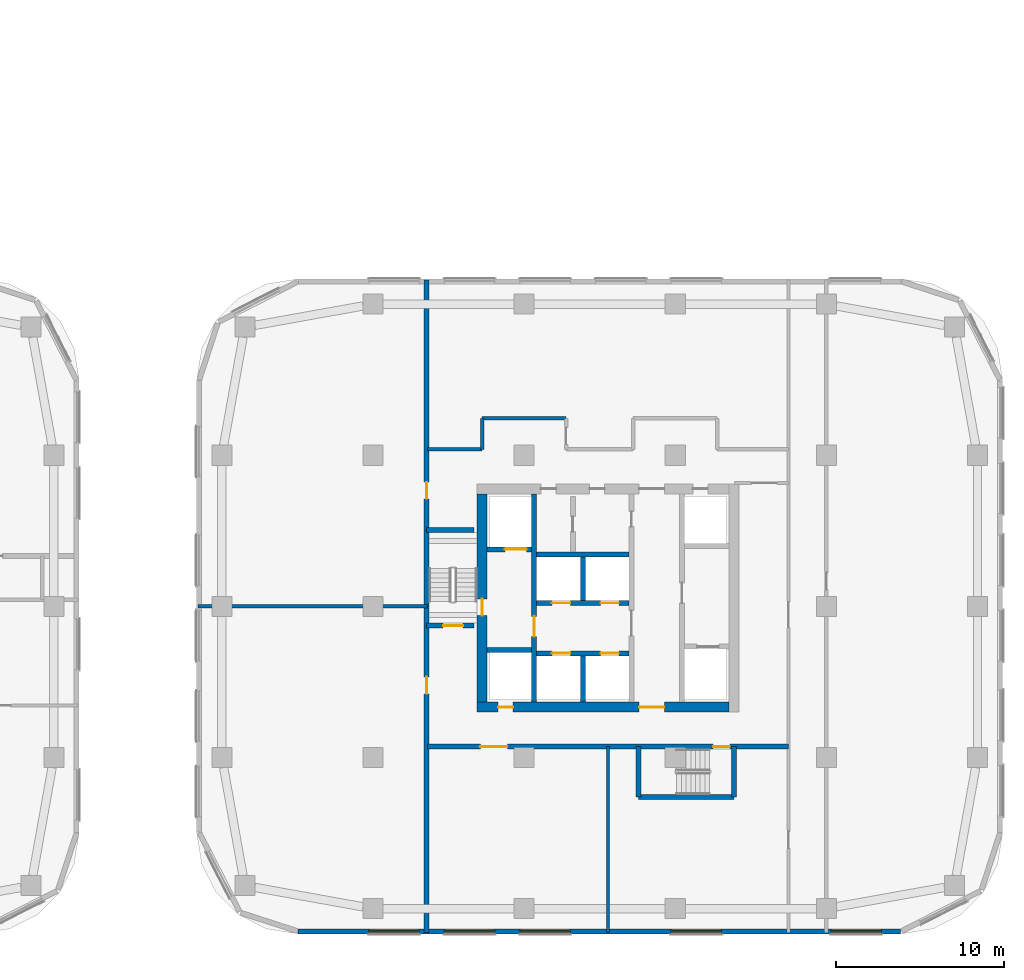
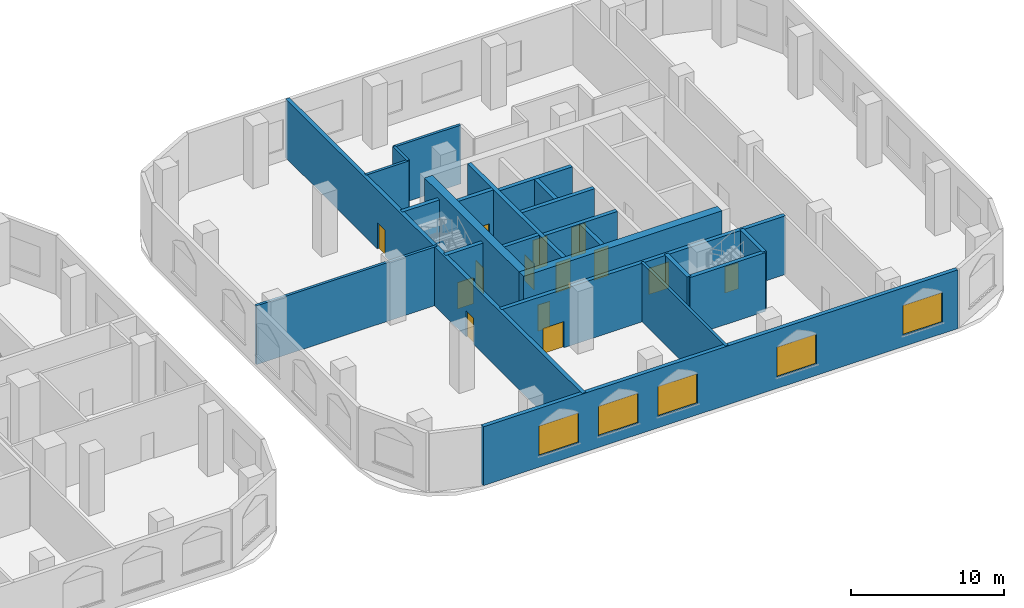
# One storey, part 9 of 31: 23 walls, 14 doors, 5 windows, 19 openings.
"""IFC4 building model written with IfcOpenShell, lengths in metres."""

from ifc_helpers import new_model, si_unit, direction, frame, frame_2d, origin, place, context, subcontext, project, spatial, rectangle, extrude, material, layer, layer_set, type_object, element, fill, save


model = new_model("IFC4")

# Units and contexts
model_context = context("Model", 3, precision=1e-05, world=origin(), true_north=direction((0.0, 1.0)))
body_context = subcontext(model_context, "Body", "Model", "MODEL_VIEW")
ifc_project = project(units=[si_unit("LENGTHUNIT", "METRE"), si_unit("AREAUNIT", "SQUARE_METRE"), si_unit("VOLUMEUNIT", "CUBIC_METRE"), si_unit("PLANEANGLEUNIT", "RADIAN"), si_unit("MASSUNIT", "GRAM", prefix="KILO")], contexts=[model_context])

# Site, building, storey
site_placement = place(None, origin())
site = spatial("IfcSite", under=ifc_project, at=site_placement, CompositionType="ELEMENT")
building_placement = place(site_placement, origin())
building = spatial("IfcBuilding", under=site, at=building_placement, Name="Ogive Portal Towers", CompositionType="ELEMENT")
storey_placement = place(building_placement, frame((0.0, 0.0, 13.5)))
storey = spatial("IfcBuildingStorey", under=building, at=storey_placement, Name="L02", CompositionType="ELEMENT", Elevation=13.5)

# Wall, opening, door
ifc_material_1 = material(Name="Concrete C60/75", Category="concrete")
ifc_layer_1 = layer(ifc_material_1, 0.300048828125)
ifc_layer_set_1 = layer_set([ifc_layer_1], Name="CORE WALL 300 C60")
wall_type_1 = type_object("IfcWallType", Name="CORE WALL 300 C60", PredefinedType="SHEAR", material=ifc_layer_set_1)
wall_1_placement = place(storey_placement, frame((132.10009765625, 24.800048828125, 0.0), z_axis=(0.0, 0.0, 1.0), x_axis=(0.0, 1.0, 0.0)))
wall_1 = element("IfcWall", 1, at=wall_1_placement, inside=storey, type_object=wall_type_1, Name="Tower B core wall BX1 L02", PredefinedType="SHEAR", context=body_context, shape_type="SweptSolid", body=[
    extrude(rectangle(XDim=12.39990234375, YDim=0.300048828125, at=frame_2d((6.199951171875, 0.0))), origin(), (0.0, 0.0, 1.0), 5.0),
])
opening_1_placement = place(wall_1_placement, frame((3.89990234375, 0.0, 0.0)))
opening_1 = element("IfcOpeningElement", 2, at=opening_1_placement, cuts=wall_1, Name="Opening P02-041", PredefinedType="OPENING", context=body_context, shape_type="SweptSolid", body=[
    extrude(rectangle(XDim=1.199951171875, YDim=2.10009765625, at=frame_2d((0.60009765625, 1.050048828125))), frame((0.0, 0.16015625, 0.0), z_axis=(0.0, -1.0, 0.0), x_axis=(1.0, 0.0, 0.0)), (0.0, 0.0, 1.0), 0.320068359375),
])
ifc_material_2 = material(Name="Steel fire door", Category="steel")
door_type_1 = type_object("IfcDoorType", Name="DT-SWING-1200x2100-FD90S", OperationType="SINGLE_SWING_LEFT", PredefinedType="DOOR", material=ifc_material_2)
door_1_placement = place(opening_1_placement, origin())
door_1 = element("IfcDoor", 3, at=door_1_placement, inside=storey, type_object=door_type_1, Name="Door P02-041", OperationType="SINGLE_SWING_LEFT", OverallHeight=2.10009765625, OverallWidth=1.199951171875, PredefinedType="DOOR", context=body_context, shape_type="SweptSolid", body=[
    extrude(rectangle(XDim=1.199951171875, YDim=2.10009765625, at=frame_2d((0.60009765625, 1.050048828125))), frame((0.0, 0.02490234375, 0.0), z_axis=(0.0, -1.0, 0.0), x_axis=(1.0, 0.0, 0.0)), (0.0, 0.0, 1.0), 0.050048828125),
])
fill(opening_1, door_1)

# Walls
wall_2_placement = place(storey_placement, frame((135.0, 24.800048828125, 0.0), z_axis=(0.0, 0.0, 1.0), x_axis=(0.0, 1.0, 0.0)))
element("IfcWall", 4, at=wall_2_placement, inside=storey, type_object=wall_type_1, Name="Tower B core wall BX4 L02", PredefinedType="SHEAR", context=body_context, shape_type="SweptSolid", body=[
    extrude(rectangle(XDim=2.75, YDim=0.300048828125, at=frame_2d((1.375, 0.0))), origin(), (0.0, 0.0, 1.0), 5.0),
])
wall_3_placement = place(storey_placement, frame((135.0, 30.85009765625, 0.0), z_axis=(0.0, 0.0, 1.0), x_axis=(0.0, 1.0, 0.0)))
element("IfcWall", 5, at=wall_3_placement, inside=storey, type_object=wall_type_1, Name="Tower B core wall BX5 L02", PredefinedType="SHEAR", context=body_context, shape_type="SweptSolid", body=[
    extrude(rectangle(XDim=2.599853515625, YDim=0.300048828125, at=frame_2d((1.2998046875, 0.0))), origin(), (0.0, 0.0, 1.0), 5.0),
])

# Wall, openings, doors
wall_4_placement = place(storey_placement, frame((132.25, 27.699951171875, 0.0), z_axis=(0.0, 0.0, 1.0), x_axis=(1.0, 0.0, 0.0)))
wall_4 = element("IfcWall", 6, at=wall_4_placement, inside=storey, type_object=wall_type_1, Name="Tower B core wall BY1 L02", PredefinedType="SHEAR", context=body_context, shape_type="SweptSolid", body=[
    extrude(rectangle(XDim=5.5, YDim=0.300048828125, at=frame_2d((2.75, 0.0))), origin(), (0.0, 0.0, 1.0), 5.0),
])
opening_2_placement = place(wall_4_placement, frame((0.89990234375, 0.0, 0.0)))
opening_2 = element("IfcOpeningElement", 7, at=opening_2_placement, cuts=wall_4, Name="Opening P02-048", PredefinedType="OPENING", context=body_context, shape_type="SweptSolid", body=[
    extrude(rectangle(XDim=1.10009765625, YDim=2.39990234375, at=frame_2d((0.550048828125, 1.199951171875))), frame((0.0, 0.16015625, 0.0), z_axis=(0.0, -1.0, 0.0), x_axis=(1.0, 0.0, 0.0)), (0.0, 0.0, 1.0), 0.320068359375),
])
opening_3_placement = place(wall_4_placement, frame((3.800048828125, 0.0, 0.0)))
opening_3 = element("IfcOpeningElement", 8, at=opening_3_placement, cuts=wall_4, Name="Opening P02-049", PredefinedType="OPENING", context=body_context, shape_type="SweptSolid", body=[
    extrude(rectangle(XDim=1.10009765625, YDim=2.39990234375, at=frame_2d((0.550048828125, 1.199951171875))), frame((0.0, 0.16015625, 0.0), z_axis=(0.0, -1.0, 0.0), x_axis=(1.0, 0.0, 0.0)), (0.0, 0.0, 1.0), 0.320068359375),
])
ifc_material_3 = material(Name="Stainless steel", Category="steel")
door_type_2 = type_object("IfcDoorType", Name="DT-LD-1100x2400", OperationType="SLIDING_TO_LEFT", PredefinedType="DOOR", material=ifc_material_3)
door_2_placement = place(opening_2_placement, origin())
door_2 = element("IfcDoor", 9, at=door_2_placement, inside=storey, type_object=door_type_2, Name="Door P02-048", OperationType="SLIDING_TO_LEFT", OverallHeight=2.39990234375, OverallWidth=1.10009765625, PredefinedType="DOOR", context=body_context, shape_type="SweptSolid", body=[
    extrude(rectangle(XDim=1.10009765625, YDim=2.39990234375, at=frame_2d((0.550048828125, 1.199951171875))), frame((0.0, 0.02490234375, 0.0), z_axis=(0.0, -1.0, 0.0), x_axis=(1.0, 0.0, 0.0)), (0.0, 0.0, 1.0), 0.050048828125),
])
fill(opening_2, door_2)
door_3_placement = place(opening_3_placement, origin())
door_3 = element("IfcDoor", 10, at=door_3_placement, inside=storey, type_object=door_type_2, Name="Door P02-049", OperationType="SLIDING_TO_LEFT", OverallHeight=2.39990234375, OverallWidth=1.10009765625, PredefinedType="DOOR", context=body_context, shape_type="SweptSolid", body=[
    extrude(rectangle(XDim=1.10009765625, YDim=2.39990234375, at=frame_2d((0.550048828125, 1.199951171875))), frame((0.0, 0.02490234375, 0.0), z_axis=(0.0, -1.0, 0.0), x_axis=(1.0, 0.0, 0.0)), (0.0, 0.0, 1.0), 0.050048828125),
])
fill(opening_3, door_3)

wall_5_placement = place(storey_placement, frame((132.25, 30.699951171875, 0.0), z_axis=(0.0, 0.0, 1.0), x_axis=(1.0, 0.0, 0.0)))
wall_5 = element("IfcWall", 11, at=wall_5_placement, inside=storey, type_object=wall_type_1, Name="Tower B core wall BY2 L02", PredefinedType="SHEAR", context=body_context, shape_type="SweptSolid", body=[
    extrude(rectangle(XDim=5.5, YDim=0.300048828125, at=frame_2d((2.75, 0.0))), origin(), (0.0, 0.0, 1.0), 5.0),
])
opening_4_placement = place(wall_5_placement, frame((0.89990234375, 0.0, 0.0)))
opening_4 = element("IfcOpeningElement", 12, at=opening_4_placement, cuts=wall_5, Name="Opening P02-050", PredefinedType="OPENING", context=body_context, shape_type="SweptSolid", body=[
    extrude(rectangle(XDim=1.10009765625, YDim=2.39990234375, at=frame_2d((0.550048828125, 1.199951171875))), frame((0.0, 0.16015625, 0.0), z_axis=(0.0, -1.0, 0.0), x_axis=(1.0, 0.0, 0.0)), (0.0, 0.0, 1.0), 0.320068359375),
])
opening_5_placement = place(wall_5_placement, frame((3.800048828125, 0.0, 0.0)))
opening_5 = element("IfcOpeningElement", 13, at=opening_5_placement, cuts=wall_5, Name="Opening P02-051", PredefinedType="OPENING", context=body_context, shape_type="SweptSolid", body=[
    extrude(rectangle(XDim=1.10009765625, YDim=2.39990234375, at=frame_2d((0.550048828125, 1.199951171875))), frame((0.0, 0.16015625, 0.0), z_axis=(0.0, -1.0, 0.0), x_axis=(1.0, 0.0, 0.0)), (0.0, 0.0, 1.0), 0.320068359375),
])
door_4_placement = place(opening_4_placement, origin())
door_4 = element("IfcDoor", 14, at=door_4_placement, inside=storey, type_object=door_type_2, Name="Door P02-050", OperationType="SLIDING_TO_LEFT", OverallHeight=2.39990234375, OverallWidth=1.10009765625, PredefinedType="DOOR", context=body_context, shape_type="SweptSolid", body=[
    extrude(rectangle(XDim=1.10009765625, YDim=2.39990234375, at=frame_2d((0.550048828125, 1.199951171875))), frame((0.0, 0.02490234375, 0.0), z_axis=(0.0, -1.0, 0.0), x_axis=(1.0, 0.0, 0.0)), (0.0, 0.0, 1.0), 0.050048828125),
])
fill(opening_4, door_4)
door_5_placement = place(opening_5_placement, origin())
door_5 = element("IfcDoor", 15, at=door_5_placement, inside=storey, type_object=door_type_2, Name="Door P02-051", OperationType="SLIDING_TO_LEFT", OverallHeight=2.39990234375, OverallWidth=1.10009765625, PredefinedType="DOOR", context=body_context, shape_type="SweptSolid", body=[
    extrude(rectangle(XDim=1.10009765625, YDim=2.39990234375, at=frame_2d((0.550048828125, 1.199951171875))), frame((0.0, 0.02490234375, 0.0), z_axis=(0.0, -1.0, 0.0), x_axis=(1.0, 0.0, 0.0)), (0.0, 0.0, 1.0), 0.050048828125),
])
fill(opening_5, door_5)

# Walls
wall_6_placement = place(storey_placement, frame((132.25, 33.60009765625, 0.0), z_axis=(0.0, 0.0, 1.0), x_axis=(1.0, 0.0, 0.0)))
element("IfcWall", 16, at=wall_6_placement, inside=storey, type_object=wall_type_1, Name="Tower B core wall BY3 L02", PredefinedType="SHEAR", context=body_context, shape_type="SweptSolid", body=[
    extrude(rectangle(XDim=5.5, YDim=0.300048828125, at=frame_2d((2.75, 0.0))), origin(), (0.0, 0.0, 1.0), 5.0),
])
wall_7_placement = place(storey_placement, frame((129.300048828125, 27.89990234375, 0.0), z_axis=(0.0, 0.0, 1.0), x_axis=(1.0, 0.0, 0.0)))
element("IfcWall", 17, at=wall_7_placement, inside=storey, type_object=wall_type_1, Name="Tower B core wall BY4 L02", PredefinedType="SHEAR", context=body_context, shape_type="SweptSolid", body=[
    extrude(rectangle(XDim=2.64990234375, YDim=0.300048828125, at=frame_2d((1.324951171875, 0.0))), origin(), (0.0, 0.0, 1.0), 5.0),
])

# Wall, opening, door
wall_8_placement = place(storey_placement, frame((129.300048828125, 33.89990234375, 0.0), z_axis=(0.0, 0.0, 1.0), x_axis=(1.0, 0.0, 0.0)))
wall_8 = element("IfcWall", 18, at=wall_8_placement, inside=storey, type_object=wall_type_1, Name="Tower B core wall BY5 L02", PredefinedType="SHEAR", context=body_context, shape_type="SweptSolid", body=[
    extrude(rectangle(XDim=2.64990234375, YDim=0.300048828125, at=frame_2d((1.324951171875, 0.0))), origin(), (0.0, 0.0, 1.0), 5.0),
])
opening_6_placement = place(wall_8_placement, frame((1.050048828125, 0.0, 0.0)))
opening_6 = element("IfcOpeningElement", 19, at=opening_6_placement, cuts=wall_8, Name="Opening P02-052", PredefinedType="OPENING", context=body_context, shape_type="SweptSolid", body=[
    extrude(rectangle(XDim=1.300048828125, YDim=2.39990234375, at=frame_2d((0.64990234375, 1.199951171875))), frame((0.0, 0.16015625, 0.0), z_axis=(0.0, -1.0, 0.0), x_axis=(1.0, 0.0, 0.0)), (0.0, 0.0, 1.0), 0.320068359375),
])
door_type_3 = type_object("IfcDoorType", Name="DT-LD-1300x2400", OperationType="SLIDING_TO_LEFT", PredefinedType="DOOR", material=ifc_material_3)
door_6_placement = place(opening_6_placement, origin())
door_6 = element("IfcDoor", 20, at=door_6_placement, inside=storey, type_object=door_type_3, Name="Door P02-052", OperationType="SLIDING_TO_LEFT", OverallHeight=2.39990234375, OverallWidth=1.300048828125, PredefinedType="DOOR", context=body_context, shape_type="SweptSolid", body=[
    extrude(rectangle(XDim=1.300048828125, YDim=2.39990234375, at=frame_2d((0.64990234375, 1.199951171875))), frame((0.0, 0.02490234375, 0.0), z_axis=(0.0, -1.0, 0.0), x_axis=(1.0, 0.0, 0.0)), (0.0, 0.0, 1.0), 0.050048828125),
])
fill(opening_6, door_6)

ifc_layer_2 = layer(ifc_material_1, 0.60009765625)
ifc_layer_set_2 = layer_set([ifc_layer_2], Name="CORE WALL 600 C60")
wall_type_2 = type_object("IfcWallType", Name="CORE WALL 600 C60", PredefinedType="SHEAR", material=ifc_layer_set_2)
wall_9_placement = place(storey_placement, frame((129.0, 24.800048828125, 0.0), z_axis=(0.0, 0.0, 1.0), x_axis=(0.0, 1.0, 0.0)))
wall_9 = element("IfcWall", 21, at=wall_9_placement, inside=storey, type_object=wall_type_2, Name="Tower B core wall BW L02", PredefinedType="SHEAR", context=body_context, shape_type="SweptSolid", body=[
    extrude(rectangle(XDim=12.39990234375, YDim=0.60009765625, at=frame_2d((6.199951171875, 0.0))), origin(), (0.0, 0.0, 1.0), 5.0),
])
opening_7_placement = place(wall_9_placement, frame((5.14990234375, 0.0, 0.0)))
opening_7 = element("IfcOpeningElement", 22, at=opening_7_placement, cuts=wall_9, Name="Opening P02-043", PredefinedType="OPENING", context=body_context, shape_type="SweptSolid", body=[
    extrude(rectangle(XDim=1.0, YDim=2.10009765625, at=frame_2d((0.5, 1.050048828125))), frame((0.0, 0.31005859375, 0.0), z_axis=(0.0, -1.0, 0.0), x_axis=(1.0, 0.0, 0.0)), (0.0, 0.0, 1.0), 0.6201171875),
])
door_type_4 = type_object("IfcDoorType", Name="DT-SWING-1000x2100-FD90S", OperationType="SINGLE_SWING_LEFT", PredefinedType="DOOR", material=ifc_material_2)
door_7_placement = place(opening_7_placement, origin())
door_7 = element("IfcDoor", 23, at=door_7_placement, inside=storey, type_object=door_type_4, Name="Door P02-043", OperationType="SINGLE_SWING_RIGHT", OverallHeight=2.10009765625, OverallWidth=1.0, PredefinedType="DOOR", context=body_context, shape_type="SweptSolid", body=[
    extrude(rectangle(XDim=1.0, YDim=2.10009765625, at=frame_2d((0.5, 1.050048828125))), frame((0.0, 0.02490234375, 0.0), z_axis=(0.0, -1.0, 0.0), x_axis=(1.0, 0.0, 0.0)), (0.0, 0.0, 1.0), 0.050048828125),
])
fill(opening_7, door_7)

# Wall, openings, doors
wall_10_placement = place(storey_placement, frame((128.699951171875, 24.5, 0.0), z_axis=(0.0, 0.0, 1.0), x_axis=(1.0, 0.0, 0.0)))
wall_10 = element("IfcWall", 24, at=wall_10_placement, inside=storey, type_object=wall_type_2, Name="Tower B core wall BS L02", PredefinedType="SHEAR", context=body_context, shape_type="SweptSolid", body=[
    extrude(rectangle(XDim=15.0, YDim=0.60009765625, at=frame_2d((7.5, 0.0))), origin(), (0.0, 0.0, 1.0), 5.0),
])
opening_8_placement = place(wall_10_placement, frame((9.64990234375, 0.0, 0.0)))
opening_8 = element("IfcOpeningElement", 25, at=opening_8_placement, cuts=wall_10, Name="Opening P02-044", PredefinedType="OPENING", context=body_context, shape_type="SweptSolid", body=[
    extrude(rectangle(XDim=1.5, YDim=2.10009765625, at=frame_2d((0.75, 1.050048828125))), frame((0.0, 0.31005859375, 0.0), z_axis=(0.0, -1.0, 0.0), x_axis=(1.0, 0.0, 0.0)), (0.0, 0.0, 1.0), 0.6201171875),
])
opening_9_placement = place(wall_10_placement, frame((1.25, 0.0, 0.0)))
opening_9 = element("IfcOpeningElement", 26, at=opening_9_placement, cuts=wall_10, Name="Opening P02-046", PredefinedType="OPENING", context=body_context, shape_type="SweptSolid", body=[
    extrude(rectangle(XDim=0.89990234375, YDim=2.10009765625, at=frame_2d((0.449951171875, 1.050048828125))), frame((0.0, 0.31005859375, 0.0), z_axis=(0.0, -1.0, 0.0), x_axis=(1.0, 0.0, 0.0)), (0.0, 0.0, 1.0), 0.6201171875),
])
door_type_5 = type_object("IfcDoorType", Name="DT-SWING-1500x2100-FD90S", OperationType="SINGLE_SWING_LEFT", PredefinedType="DOOR", material=ifc_material_2)
door_8_placement = place(opening_8_placement, origin())
door_8 = element("IfcDoor", 27, at=door_8_placement, inside=storey, type_object=door_type_5, Name="Door P02-044", OperationType="SINGLE_SWING_LEFT", OverallHeight=2.10009765625, OverallWidth=1.5, PredefinedType="DOOR", context=body_context, shape_type="SweptSolid", body=[
    extrude(rectangle(XDim=1.5, YDim=2.10009765625, at=frame_2d((0.75, 1.050048828125))), frame((0.0, 0.02490234375, 0.0), z_axis=(0.0, -1.0, 0.0), x_axis=(1.0, 0.0, 0.0)), (0.0, 0.0, 1.0), 0.050048828125),
])
fill(opening_8, door_8)
door_type_6 = type_object("IfcDoorType", Name="DT-SWING-900x2100-FD90S", OperationType="SINGLE_SWING_LEFT", PredefinedType="DOOR", material=ifc_material_2)
door_9_placement = place(opening_9_placement, origin())
door_9 = element("IfcDoor", 28, at=door_9_placement, inside=storey, type_object=door_type_6, Name="Riser access door P02-046", OperationType="SINGLE_SWING_LEFT", OverallHeight=2.10009765625, OverallWidth=0.89990234375, PredefinedType="DOOR", context=body_context, shape_type="SweptSolid", body=[
    extrude(rectangle(XDim=0.89990234375, YDim=2.10009765625, at=frame_2d((0.449951171875, 1.050048828125))), frame((0.0, 0.02490234375, 0.0), z_axis=(0.0, -1.0, 0.0), x_axis=(1.0, 0.0, 0.0)), (0.0, 0.0, 1.0), 0.050048828125),
])
fill(opening_9, door_9)

# Wall, openings, windows
ifc_material_4 = material(Name="Limestone cladding on lightweight block wall", Category="masonry")
ifc_layer_3 = layer(ifc_material_4, 0.300048828125)
ifc_layer_set_3 = layer_set([ifc_layer_3], Name="EXTERNAL WALL 300 STONE")
wall_type_3 = type_object("IfcWallType", Name="EXTERNAL WALL 300 STONE", PredefinedType="SOLIDWALL", material=ifc_layer_set_3)
wall_11_placement = place(storey_placement, frame((118.047607421875, 11.14990234375, 0.0), z_axis=(0.0, 0.0, 1.0), x_axis=(1.0, 0.0, 0.0)))
wall_11 = element("IfcWall", 29, at=wall_11_placement, inside=storey, type_object=wall_type_3, Name="B:L02:f02:w0", PredefinedType="SOLIDWALL", context=body_context, shape_type="SweptSolid", body=[
    extrude(rectangle(XDim=35.88037109375, YDim=0.300048828125, at=frame_2d((17.940185546875, 0.0))), origin(), (0.0, 0.0, 1.0), 4.699951171875),
])
opening_10_placement = place(wall_11_placement, frame((4.202392578125, 0.0, 0.89990234375)))
opening_10 = element("IfcOpeningElement", 30, at=opening_10_placement, cuts=wall_11, Name="Opening WN3", PredefinedType="OPENING", context=body_context, shape_type="SweptSolid", body=[
    extrude(rectangle(XDim=3.0, YDim=2.39990234375, at=frame_2d((1.5, 1.199951171875))), frame((0.0, 0.16015625, 0.0), z_axis=(0.0, -1.0, 0.0), x_axis=(1.0, 0.0, 0.0)), (0.0, 0.0, 1.0), 0.320068359375),
])
opening_11_placement = place(wall_11_placement, frame((8.702392578125, 0.0, 0.89990234375)))
opening_11 = element("IfcOpeningElement", 31, at=opening_11_placement, cuts=wall_11, Name="Opening WN3", PredefinedType="OPENING", context=body_context, shape_type="SweptSolid", body=[
    extrude(rectangle(XDim=3.0, YDim=2.39990234375, at=frame_2d((1.5, 1.199951171875))), frame((0.0, 0.16015625, 0.0), z_axis=(0.0, -1.0, 0.0), x_axis=(1.0, 0.0, 0.0)), (0.0, 0.0, 1.0), 0.320068359375),
])
opening_12_placement = place(wall_11_placement, frame((13.202392578125, 0.0, 0.89990234375)))
opening_12 = element("IfcOpeningElement", 32, at=opening_12_placement, cuts=wall_11, Name="Opening WN3", PredefinedType="OPENING", context=body_context, shape_type="SweptSolid", body=[
    extrude(rectangle(XDim=3.0, YDim=2.39990234375, at=frame_2d((1.5, 1.199951171875))), frame((0.0, 0.16015625, 0.0), z_axis=(0.0, -1.0, 0.0), x_axis=(1.0, 0.0, 0.0)), (0.0, 0.0, 1.0), 0.320068359375),
])
opening_13_placement = place(wall_11_placement, frame((22.202392578125, 0.0, 0.89990234375)))
opening_13 = element("IfcOpeningElement", 33, at=opening_13_placement, cuts=wall_11, Name="Opening WN3", PredefinedType="OPENING", context=body_context, shape_type="SweptSolid", body=[
    extrude(rectangle(XDim=3.0, YDim=2.39990234375, at=frame_2d((1.5, 1.199951171875))), frame((0.0, 0.16015625, 0.0), z_axis=(0.0, -1.0, 0.0), x_axis=(1.0, 0.0, 0.0)), (0.0, 0.0, 1.0), 0.320068359375),
])
opening_14_placement = place(wall_11_placement, frame((31.726318359375, 0.0, 0.89990234375)))
opening_14 = element("IfcOpeningElement", 34, at=opening_14_placement, cuts=wall_11, Name="Opening WN3", PredefinedType="OPENING", context=body_context, shape_type="SweptSolid", body=[
    extrude(rectangle(XDim=3.0, YDim=2.39990234375, at=frame_2d((1.5, 1.199951171875))), frame((0.0, 0.16015625, 0.0), z_axis=(0.0, -1.0, 0.0), x_axis=(1.0, 0.0, 0.0)), (0.0, 0.0, 1.0), 0.320068359375),
])
ifc_material_5 = material(Name="Glass, clear low-iron insulated glazing", Category="glass")
window_type = type_object("IfcWindowType", Name="WINDOW PODIUM 3000x2400", PartitioningType="SINGLE_PANEL", PredefinedType="WINDOW", material=ifc_material_5)
window_1_placement = place(opening_10_placement, origin())
window_1 = element("IfcWindow", 35, at=window_1_placement, inside=storey, type_object=window_type, Name="B:L02:f02:w0:o1a", OverallHeight=2.39990234375, OverallWidth=3.0, PartitioningType="SINGLE_PANEL", PredefinedType="WINDOW", context=body_context, shape_type="SweptSolid", body=[
    extrude(rectangle(XDim=3.0, YDim=2.39990234375, at=frame_2d((1.5, 1.199951171875))), frame((0.0, 0.030029296875, 0.0), z_axis=(0.0, -1.0, 0.0), x_axis=(1.0, 0.0, 0.0)), (0.0, 0.0, 1.0), 0.06005859375),
])
fill(opening_10, window_1)
window_2_placement = place(opening_11_placement, origin())
window_2 = element("IfcWindow", 36, at=window_2_placement, inside=storey, type_object=window_type, Name="B:L02:f02:w0:o1b", OverallHeight=2.39990234375, OverallWidth=3.0, PartitioningType="SINGLE_PANEL", PredefinedType="WINDOW", context=body_context, shape_type="SweptSolid", body=[
    extrude(rectangle(XDim=3.0, YDim=2.39990234375, at=frame_2d((1.5, 1.199951171875))), frame((0.0, 0.030029296875, 0.0), z_axis=(0.0, -1.0, 0.0), x_axis=(1.0, 0.0, 0.0)), (0.0, 0.0, 1.0), 0.06005859375),
])
fill(opening_11, window_2)
window_3_placement = place(opening_12_placement, origin())
window_3 = element("IfcWindow", 37, at=window_3_placement, inside=storey, type_object=window_type, Name="B:L02:f02:w0:o2a", OverallHeight=2.39990234375, OverallWidth=3.0, PartitioningType="SINGLE_PANEL", PredefinedType="WINDOW", context=body_context, shape_type="SweptSolid", body=[
    extrude(rectangle(XDim=3.0, YDim=2.39990234375, at=frame_2d((1.5, 1.199951171875))), frame((0.0, 0.030029296875, 0.0), z_axis=(0.0, -1.0, 0.0), x_axis=(1.0, 0.0, 0.0)), (0.0, 0.0, 1.0), 0.06005859375),
])
fill(opening_12, window_3)
window_4_placement = place(opening_13_placement, origin())
window_4 = element("IfcWindow", 38, at=window_4_placement, inside=storey, type_object=window_type, Name="B:L02:f02:w0:o3a", OverallHeight=2.39990234375, OverallWidth=3.0, PartitioningType="SINGLE_PANEL", PredefinedType="WINDOW", context=body_context, shape_type="SweptSolid", body=[
    extrude(rectangle(XDim=3.0, YDim=2.39990234375, at=frame_2d((1.5, 1.199951171875))), frame((0.0, 0.030029296875, 0.0), z_axis=(0.0, -1.0, 0.0), x_axis=(1.0, 0.0, 0.0)), (0.0, 0.0, 1.0), 0.06005859375),
])
fill(opening_13, window_4)
window_5_placement = place(opening_14_placement, origin())
window_5 = element("IfcWindow", 39, at=window_5_placement, inside=storey, type_object=window_type, Name="B:L02:f02:w0:o4", OverallHeight=2.39990234375, OverallWidth=3.0, PartitioningType="SINGLE_PANEL", PredefinedType="WINDOW", context=body_context, shape_type="SweptSolid", body=[
    extrude(rectangle(XDim=3.0, YDim=2.39990234375, at=frame_2d((1.5, 1.199951171875))), frame((0.0, 0.030029296875, 0.0), z_axis=(0.0, -1.0, 0.0), x_axis=(1.0, 0.0, 0.0)), (0.0, 0.0, 1.0), 0.06005859375),
])
fill(opening_14, window_5)

# Wall
ifc_material_6 = material(Name="Concrete C50/60", Category="concrete")
ifc_layer_4 = layer(ifc_material_6, 0.300048828125)
ifc_layer_set_4 = layer_set([ifc_layer_4], Name="STAIR WALL 300 C50")
wall_type_4 = type_object("IfcWallType", Name="STAIR WALL 300 C50", PredefinedType="SHEAR", material=ifc_layer_set_4)
wall_12_placement = place(storey_placement, frame((138.300048828125, 19.14990234375, 0.0), z_axis=(0.0, 0.0, 1.0), x_axis=(1.0, 0.0, 0.0)))
element("IfcWall", 40, at=wall_12_placement, inside=storey, type_object=wall_type_4, Name="Stair wall ST-B2 L02", PredefinedType="SHEAR", context=body_context, shape_type="SweptSolid", body=[
    extrude(rectangle(XDim=5.699951171875, YDim=0.300048828125, at=frame_2d((2.85009765625, 0.0))), origin(), (0.0, 0.0, 1.0), 4.699951171875),
])

# Wall, openings, doors
wall_13_placement = place(storey_placement, frame((125.75, 22.14990234375, 0.0), z_axis=(0.0, 0.0, 1.0), x_axis=(1.0, 0.0, 0.0)))
wall_13 = element("IfcWall", 41, at=wall_13_placement, inside=storey, type_object=wall_type_4, Name="Stair wall ST-B2 L02", PredefinedType="SHEAR", context=body_context, shape_type="SweptSolid", body=[
    extrude(rectangle(XDim=21.5, YDim=0.300048828125, at=frame_2d((10.75, 0.0))), origin(), (0.0, 0.0, 1.0), 4.699951171875),
])
opening_15_placement = place(wall_13_placement, frame((17.0, 0.0, 0.0)))
opening_15 = element("IfcOpeningElement", 42, at=opening_15_placement, cuts=wall_13, Name="Opening P02-031", PredefinedType="OPENING", context=body_context, shape_type="SweptSolid", body=[
    extrude(rectangle(XDim=1.0, YDim=2.10009765625, at=frame_2d((0.5, 1.050048828125))), frame((0.0, 0.16015625, 0.0), z_axis=(0.0, -1.0, 0.0), x_axis=(1.0, 0.0, 0.0)), (0.0, 0.0, 1.0), 0.320068359375),
])
opening_16_placement = place(wall_13_placement, frame((3.14990234375, 0.0, 0.0)))
opening_16 = element("IfcOpeningElement", 43, at=opening_16_placement, cuts=wall_13, Name="Opening P02-037", PredefinedType="OPENING", context=body_context, shape_type="SweptSolid", body=[
    extrude(rectangle(XDim=1.60009765625, YDim=2.10009765625, at=frame_2d((0.800048828125, 1.050048828125))), frame((0.0, 0.16015625, 0.0), z_axis=(0.0, -1.0, 0.0), x_axis=(1.0, 0.0, 0.0)), (0.0, 0.0, 1.0), 0.320068359375),
])
door_10_placement = place(opening_15_placement, origin())
door_10 = element("IfcDoor", 44, at=door_10_placement, inside=storey, type_object=door_type_4, Name="Door P02-031", OperationType="SINGLE_SWING_LEFT", OverallHeight=2.10009765625, OverallWidth=1.0, PredefinedType="DOOR", context=body_context, shape_type="SweptSolid", body=[
    extrude(rectangle(XDim=1.0, YDim=2.10009765625, at=frame_2d((0.5, 1.050048828125))), frame((0.0, 0.02490234375, 0.0), z_axis=(0.0, -1.0, 0.0), x_axis=(1.0, 0.0, 0.0)), (0.0, 0.0, 1.0), 0.050048828125),
])
fill(opening_15, door_10)
door_type_7 = type_object("IfcDoorType", Name="DT-SWING-1600x2100-FD90S", OperationType="SINGLE_SWING_LEFT", PredefinedType="DOOR", material=ifc_material_2)
door_11_placement = place(opening_16_placement, origin())
door_11 = element("IfcDoor", 45, at=door_11_placement, inside=storey, type_object=door_type_7, Name="Door P02-037", OperationType="SINGLE_SWING_LEFT", OverallHeight=2.10009765625, OverallWidth=1.60009765625, PredefinedType="DOOR", context=body_context, shape_type="SweptSolid", body=[
    extrude(rectangle(XDim=1.60009765625, YDim=2.10009765625, at=frame_2d((0.800048828125, 1.050048828125))), frame((0.0, 0.02490234375, 0.0), z_axis=(0.0, -1.0, 0.0), x_axis=(1.0, 0.0, 0.0)), (0.0, 0.0, 1.0), 0.050048828125),
])
fill(opening_16, door_11)

# Wall, opening, door
wall_14_placement = place(storey_placement, frame((125.699951171875, 29.35009765625, 0.0), z_axis=(0.0, 0.0, 1.0), x_axis=(1.0, 0.0, 0.0)))
wall_14 = element("IfcWall", 46, at=wall_14_placement, inside=storey, type_object=wall_type_4, Name="Stair wall ST-B1 L02", PredefinedType="SHEAR", context=body_context, shape_type="SweptSolid", body=[
    extrude(rectangle(XDim=2.830078125, YDim=0.300048828125, at=frame_2d((1.4150390625, 0.0))), origin(), (0.0, 0.0, 1.0), 4.699951171875),
])
opening_17_placement = place(wall_14_placement, frame((0.97509765625, 0.0, 0.0)))
opening_17 = element("IfcOpeningElement", 47, at=opening_17_placement, cuts=wall_14, Name="Opening P02-030", PredefinedType="OPENING", context=body_context, shape_type="SweptSolid", body=[
    extrude(rectangle(XDim=1.199951171875, YDim=2.10009765625, at=frame_2d((0.60009765625, 1.050048828125))), frame((0.0, 0.16015625, 0.0), z_axis=(0.0, -1.0, 0.0), x_axis=(1.0, 0.0, 0.0)), (0.0, 0.0, 1.0), 0.320068359375),
])
door_12_placement = place(opening_17_placement, origin())
door_12 = element("IfcDoor", 48, at=door_12_placement, inside=storey, type_object=door_type_1, Name="Door P02-030", OperationType="SINGLE_SWING_RIGHT", OverallHeight=2.10009765625, OverallWidth=1.199951171875, PredefinedType="DOOR", context=body_context, shape_type="SweptSolid", body=[
    extrude(rectangle(XDim=1.199951171875, YDim=2.10009765625, at=frame_2d((0.60009765625, 1.050048828125))), frame((0.0, 0.02490234375, 0.0), z_axis=(0.0, -1.0, 0.0), x_axis=(1.0, 0.0, 0.0)), (0.0, 0.0, 1.0), 0.050048828125),
])
fill(opening_17, door_12)

# Wall
wall_15_placement = place(storey_placement, frame((125.699951171875, 35.050048828125, 0.0), z_axis=(0.0, 0.0, 1.0), x_axis=(1.0, 0.0, 0.0)))
element("IfcWall", 49, at=wall_15_placement, inside=storey, type_object=wall_type_4, Name="Stair wall ST-B1 L02", PredefinedType="SHEAR", context=body_context, shape_type="SweptSolid", body=[
    extrude(rectangle(XDim=2.830078125, YDim=0.300048828125, at=frame_2d((1.4150390625, 0.0))), origin(), (0.0, 0.0, 1.0), 4.699951171875),
])

# Wall, openings, doors
wall_16_placement = place(storey_placement, frame((125.699951171875, 11.070068359375, 0.0), z_axis=(0.0, 0.0, 1.0), x_axis=(0.0, 1.0, 0.0)))
wall_16 = element("IfcWall", 50, at=wall_16_placement, inside=storey, type_object=wall_type_4, Name="Stair wall ST-B1 L02", PredefinedType="SHEAR", context=body_context, shape_type="SweptSolid", body=[
    extrude(rectangle(XDim=38.85986328125, YDim=0.300048828125, at=frame_2d((19.429931640625, 0.0))), origin(), (0.0, 0.0, 1.0), 4.699951171875),
])
opening_18_placement = place(wall_16_placement, frame((14.22607421875, 0.0, 0.0)))
opening_18 = element("IfcOpeningElement", 51, at=opening_18_placement, cuts=wall_16, Name="Opening P02-034", PredefinedType="OPENING", context=body_context, shape_type="SweptSolid", body=[
    extrude(rectangle(XDim=1.0, YDim=2.10009765625, at=frame_2d((0.5, 1.050048828125))), frame((0.0, 0.16015625, 0.0), z_axis=(0.0, -1.0, 0.0), x_axis=(1.0, 0.0, 0.0)), (0.0, 0.0, 1.0), 0.320068359375),
])
opening_19_placement = place(wall_16_placement, frame((25.8349609375, 0.0, 0.0)))
opening_19 = element("IfcOpeningElement", 52, at=opening_19_placement, cuts=wall_16, Name="Opening P02-035", PredefinedType="OPENING", context=body_context, shape_type="SweptSolid", body=[
    extrude(rectangle(XDim=1.0, YDim=2.10009765625, at=frame_2d((0.5, 1.050048828125))), frame((0.0, 0.16015625, 0.0), z_axis=(0.0, -1.0, 0.0), x_axis=(1.0, 0.0, 0.0)), (0.0, 0.0, 1.0), 0.320068359375),
])
door_13_placement = place(opening_18_placement, origin())
door_13 = element("IfcDoor", 53, at=door_13_placement, inside=storey, type_object=door_type_4, Name="Door P02-034", OperationType="SINGLE_SWING_RIGHT", OverallHeight=2.10009765625, OverallWidth=1.0, PredefinedType="DOOR", context=body_context, shape_type="SweptSolid", body=[
    extrude(rectangle(XDim=1.0, YDim=2.10009765625, at=frame_2d((0.5, 1.050048828125))), frame((0.0, 0.02490234375, 0.0), z_axis=(0.0, -1.0, 0.0), x_axis=(1.0, 0.0, 0.0)), (0.0, 0.0, 1.0), 0.050048828125),
])
fill(opening_18, door_13)
door_14_placement = place(opening_19_placement, origin())
door_14 = element("IfcDoor", 54, at=door_14_placement, inside=storey, type_object=door_type_4, Name="Door P02-035", OperationType="SINGLE_SWING_LEFT", OverallHeight=2.10009765625, OverallWidth=1.0, PredefinedType="DOOR", context=body_context, shape_type="SweptSolid", body=[
    extrude(rectangle(XDim=1.0, YDim=2.10009765625, at=frame_2d((0.5, 1.050048828125))), frame((0.0, 0.02490234375, 0.0), z_axis=(0.0, -1.0, 0.0), x_axis=(1.0, 0.0, 0.0)), (0.0, 0.0, 1.0), 0.050048828125),
])
fill(opening_19, door_14)

# Walls
for number, where, z_axis, x_axis, name in (
    (55, (138.300048828125, 19.14990234375, 0.0), (0.0, 0.0, 1.0), (0.0, 1.0, 0.0), "Stair wall ST-B2 L02"),
    (56, (144.0, 19.14990234375, 0.0), (0.0, 0.0, 1.0), (0.0, 1.0, 0.0), "Stair wall ST-B2 L02"),
):
    element("IfcWall", number, at=place(storey_placement, frame(where, z_axis=z_axis, x_axis=x_axis)), inside=storey, type_object=wall_type_4, Name=name, PredefinedType="SHEAR", context=body_context, shape_type="SweptSolid", body=[
        extrude(rectangle(XDim=3.0, YDim=0.300048828125, at=frame_2d((1.5, 0.0))), origin(), (0.0, 0.0, 1.0), 4.699951171875),
    ])
ifc_material_7 = material(Name="Gypsum board partition on steel studs", Category="steel")
ifc_layer_5 = layer(ifc_material_7, 0.199951171875)
ifc_layer_set_5 = layer_set([ifc_layer_5], Name="WT-PART-200-EI 60")
wall_type_5 = type_object("IfcWallType", Name="WT-PART-200-EI 60", PredefinedType="PARTITIONING", material=ifc_layer_set_5)
wall_17_placement = place(storey_placement, frame((112.070068359375, 30.5, 0.0), z_axis=(0.0, 0.0, 1.0), x_axis=(1.0, 0.0, 0.0)))
element("IfcWall", 57, at=wall_17_placement, inside=storey, type_object=wall_type_5, Name="Wall L02:w011", PredefinedType="PARTITIONING", context=body_context, shape_type="SweptSolid", body=[
    extrude(rectangle(XDim=13.679931640625, YDim=0.199951171875, at=frame_2d((6.83984375, 0.0))), origin(), (0.0, 0.0, 1.0), 4.699951171875),
])
wall_18_placement = place(storey_placement, frame((125.75, 39.85009765625, 0.0), z_axis=(0.0, 0.0, 1.0), x_axis=(1.0, 0.0, 0.0)))
element("IfcWall", 58, at=wall_18_placement, inside=storey, type_object=wall_type_5, Name="Wall L02:w022", PredefinedType="PARTITIONING", context=body_context, shape_type="SweptSolid", body=[
    extrude(rectangle(XDim=3.25, YDim=0.199951171875, at=frame_2d((1.625, 0.0))), origin(), (0.0, 0.0, 1.0), 4.699951171875),
])
wall_19_placement = place(storey_placement, frame((129.0, 41.699951171875, 0.0), z_axis=(0.0, 0.0, 1.0), x_axis=(1.0, 0.0, 0.0)))
element("IfcWall", 59, at=wall_19_placement, inside=storey, type_object=wall_type_5, Name="Wall L02:w025", PredefinedType="PARTITIONING", context=body_context, shape_type="SweptSolid", body=[
    extrude(rectangle(XDim=5.0, YDim=0.199951171875, at=frame_2d((2.5, 0.0))), origin(), (0.0, 0.0, 1.0), 4.699951171875),
])
wall_20_placement = place(storey_placement, frame((129.0, 39.85009765625, 0.0), z_axis=(0.0, 0.0, 1.0), x_axis=(0.0, 1.0, 0.0)))
element("IfcWall", 60, at=wall_20_placement, inside=storey, type_object=wall_type_5, Name="Wall L02:w049", PredefinedType="PARTITIONING", context=body_context, shape_type="SweptSolid", body=[
    extrude(rectangle(XDim=1.849853515625, YDim=0.199951171875, at=frame_2d((0.9248046875, 0.0))), origin(), (0.0, 0.0, 1.0), 4.699951171875),
])
wall_21_placement = place(storey_placement, frame((136.5, 11.070068359375, 0.0), z_axis=(0.0, 0.0, 1.0), x_axis=(0.0, 1.0, 0.0)))
element("IfcWall", 61, at=wall_21_placement, inside=storey, type_object=wall_type_5, Name="Wall L02:w052", PredefinedType="PARTITIONING", context=body_context, shape_type="SweptSolid", body=[
    extrude(rectangle(XDim=11.079833984375, YDim=0.199951171875, at=frame_2d((5.5400390625, 0.0))), origin(), (0.0, 0.0, 1.0), 4.699951171875),
])

save(model, "model.ifc")
